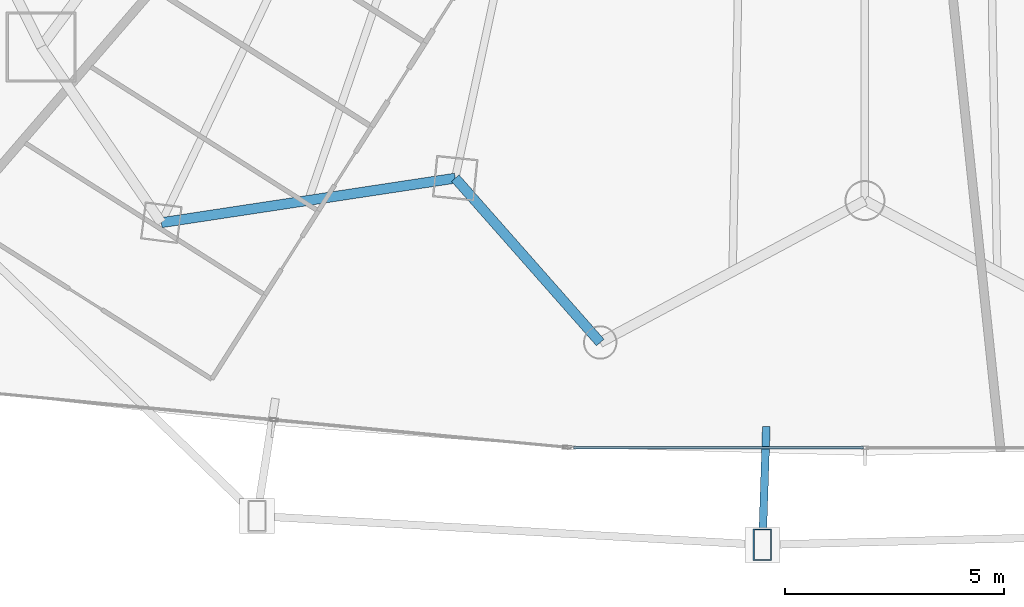
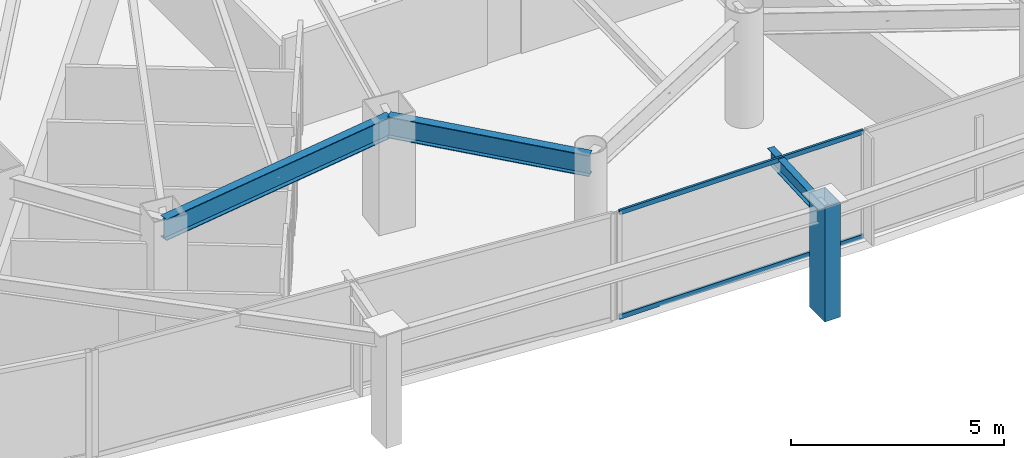
# One storey, part 7 of 35: 3 beams, 3 members, 1 element without a shape of its own.
"""IFC4 building model written with IfcOpenShell, lengths in metres."""

from ifc_helpers import new_model, si_unit, direction, frame, origin, origin_2d, place, context, subcontext, project, spatial, hollow_rectangle, i_section, extrude, material, layer, layer_set, material_profile, profile_set, type_object, element, aggregate, save


model = new_model("IFC4")

# Units and contexts
model_context = context("Model", 3, precision=1e-05, world=origin(), true_north=direction((0.0, 1.0)))
body_context = subcontext(model_context, "Body", "Model", "MODEL_VIEW")
ifc_project = project(units=[si_unit("LENGTHUNIT", "METRE"), si_unit("AREAUNIT", "SQUARE_METRE"), si_unit("VOLUMEUNIT", "CUBIC_METRE"), si_unit("PLANEANGLEUNIT", "RADIAN"), si_unit("MASSUNIT", "GRAM", prefix="KILO")], contexts=[model_context])

# Site, building, storey
site_placement = place(None, origin())
site = spatial("IfcSite", under=ifc_project, at=site_placement, CompositionType="ELEMENT")
building_placement = place(site_placement, origin())
building = spatial("IfcBuilding", under=site, at=building_placement, Name="Orvanel Arch Residences", CompositionType="ELEMENT")
storey_placement = place(building_placement, frame((0.0, 0.0, 30.199951171875)))
storey = spatial("IfcBuildingStorey", under=building, at=storey_placement, Name="L07", CompositionType="ELEMENT", Elevation=30.199951171875)

# Member
ifc_material_1 = material(Name="Structural steel AS/NZS 3678 Grade 350", Category="steel")
ifc_material_profile_1 = material_profile(ifc_material_1, hollow_rectangle(XDim=0.419921875, YDim=0.719970703125, WallThickness=0.02490234375, at=origin_2d()), Name="RHS720x420x25")
ifc_profile_set_1 = profile_set([ifc_material_profile_1], Name="Structural steel AS/NZS 3678 Grade 350")
member_type_1 = type_object("IfcMemberType", Name="CH-720RHS-EXT", PredefinedType="CHORD", material=ifc_profile_set_1)
member_1_placement = place(storey_placement, frame((30.658935546875, -1.013916015625, 0.0), z_axis=(0.0, 0.0, 1.0), x_axis=(1.0, 0.0, 0.0)))
element("IfcMember", 1, at=member_1_placement, inside=storey, type_object=member_type_1, Name="L07 Outer Perimeter Frame Post 06", PredefinedType="CHORD", context=body_context, shape_type="SweptSolid", body=[
    extrude(hollow_rectangle(XDim=0.419921875, YDim=0.719970703125, WallThickness=0.02490234375, at=origin_2d()), origin(), (0.0, 0.0, 1.0), 3.300048828125),
])

# Beams
ifc_material_2 = material(Name="Structural steel AS/NZS 3679.1 Grade 300 (300 MPa)", Category="steel")
ifc_material_profile_2 = material_profile(ifc_material_2, i_section(OverallWidth=0.177978515625, OverallDepth=0.406005859375, WebThickness=0.0078125, FlangeThickness=0.0126953125, at=origin_2d()), Name="410UB59.7")
ifc_profile_set_2 = profile_set([ifc_material_profile_2], Name="Structural steel AS/NZS 3679.1 Grade 300 (300 MPa)")
beam_type_1 = type_object("IfcBeamType", Name="OB-410UB-EXT", PredefinedType="SPANDREL", material=ifc_profile_set_2)
beam_1_placement = place(storey_placement, frame((30.7490234375, 1.68798828125, 2.85693359375), z_axis=(-0.033323851062, -0.999444606244, 0.0), x_axis=(0.999444606244, -0.033323851062, 0.0)))
element("IfcBeam", 2, at=beam_1_placement, inside=storey, type_object=beam_type_1, Name="L07 Outer Frame Radial Tie Beam 06", PredefinedType="SPANDREL", context=body_context, shape_type="SweptSolid", body=[
    extrude(i_section(OverallWidth=0.177978515625, OverallDepth=0.406005859375, WebThickness=0.0078125, FlangeThickness=0.0126953125, at=origin_2d()), origin(), (0.0, 0.0, 1.0), 2.703369140625),
])
ifc_material_profile_3 = material_profile(ifc_material_2, i_section(OverallWidth=0.22900390625, OverallDepth=0.612060546875, WebThickness=0.011962890625, FlangeThickness=0.01953125, at=origin_2d()), Name="610UB125")
ifc_profile_set_3 = profile_set([ifc_material_profile_3], Name="Structural steel AS/NZS 3679.1 Grade 300 (300 MPa)")
beam_type_2 = type_object("IfcBeamType", Name="SP-610UB", PredefinedType="SPANDREL", material=ifc_profile_set_3)
beam_2_placement = place(storey_placement, frame((16.94091796875, 6.339111328125, 2.754150390625), z_axis=(0.988726323014, 0.149733958002, 0.0), x_axis=(-0.149733958002, 0.988726323014, 0.0)))
element("IfcBeam", 3, at=beam_2_placement, inside=storey, type_object=beam_type_2, Name="L07 Perimeter Spandrel Beam 04", PredefinedType="SPANDREL", context=body_context, shape_type="SweptSolid", body=[
    extrude(i_section(OverallWidth=0.22900390625, OverallDepth=0.612060546875, WebThickness=0.011962890625, FlangeThickness=0.01953125, at=origin_2d()), origin(), (0.0, 0.0, 1.0), 6.784423828125),
])
beam_3_placement = place(storey_placement, frame((23.64892578125, 7.35498046875, 2.754150390625), z_axis=(0.661650698195, -0.749812212209, 0.0), x_axis=(0.749812212209, 0.661650698195, 0.0)))
element("IfcBeam", 4, at=beam_3_placement, inside=storey, type_object=beam_type_2, Name="L07 Perimeter Spandrel Beam 05", PredefinedType="SPANDREL", context=body_context, shape_type="SweptSolid", body=[
    extrude(i_section(OverallWidth=0.22900390625, OverallDepth=0.612060546875, WebThickness=0.011962890625, FlangeThickness=0.01953125, at=origin_2d()), origin(), (0.0, 0.0, 1.0), 5.001220703125),
])

# Curtain wall, members
ifc_material_3 = material(Name="Bronze-anodised aluminium AA6063-T6", Category="aluminium")
ifc_layer = layer(ifc_material_3, 0.179931640625)
ifc_layer_set = layer_set([ifc_layer], Name="Bronze-anodised aluminium AA6063-T6")
curtain_wall_type = type_object("IfcCurtainWallType", Name="CW2-LOW-SYS", PredefinedType="NOTDEFINED", material=ifc_layer_set)
curtain_wall_placement = place(storey_placement, origin())
curtain_wall = element("IfcCurtainWall", 5, at=curtain_wall_placement, inside=storey, type_object=curtain_wall_type, Name="L07 CW2-LOW-SYS Unitised Curtain Wall", PredefinedType="NOTDEFINED")
ifc_material_profile_4 = material_profile(ifc_material_3, hollow_rectangle(XDim=0.06005859375, YDim=0.135009765625, WallThickness=0.00390625, at=origin_2d()), Name="ALU135x60x4")
ifc_profile_set_4 = profile_set([ifc_material_profile_4], Name="Bronze-anodised aluminium AA6063-T6")
member_type_2 = type_object("IfcMemberType", Name="TRN-135x60", PredefinedType="USERDEFINED", material=ifc_profile_set_4)
member_2_placement = place(storey_placement, frame((26.345947265625, 1.2041015625, 0.030029296875), z_axis=(1.0, 0.0, 0.0), x_axis=(0.0, 1.0, 0.0)))
member_2 = element("IfcMember", 6, at=member_2_placement, type_object=member_type_2, Name="CW-S2 transom 1.1", ObjectType="TRANSOM", PredefinedType="USERDEFINED", context=body_context, shape_type="SweptSolid", body=[
    extrude(hollow_rectangle(XDim=0.06005859375, YDim=0.135009765625, WallThickness=0.00390625, at=origin_2d()), origin(), (0.0, 0.0, 1.0), 6.619140625),
])
member_3_placement = place(storey_placement, frame((26.345947265625, 1.2041015625, 3.030029296875), z_axis=(1.0, 0.0, 0.0), x_axis=(0.0, 1.0, 0.0)))
member_3 = element("IfcMember", 7, at=member_3_placement, type_object=member_type_2, Name="CW-S2 transom 1.2", ObjectType="TRANSOM", PredefinedType="USERDEFINED", context=body_context, shape_type="SweptSolid", body=[
    extrude(hollow_rectangle(XDim=0.06005859375, YDim=0.135009765625, WallThickness=0.00390625, at=origin_2d()), origin(), (0.0, 0.0, 1.0), 6.619140625),
])
aggregate(curtain_wall, [member_2, member_3])

save(model, "model.ifc")
